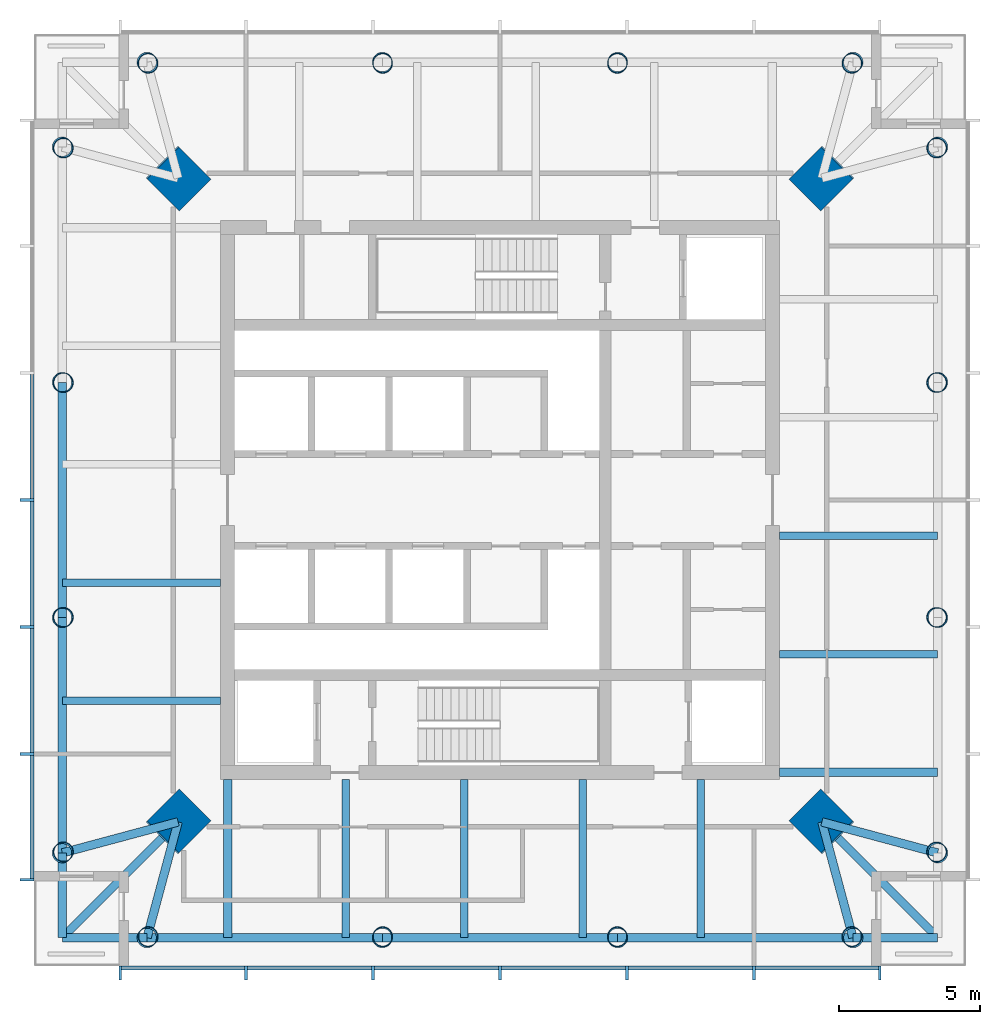
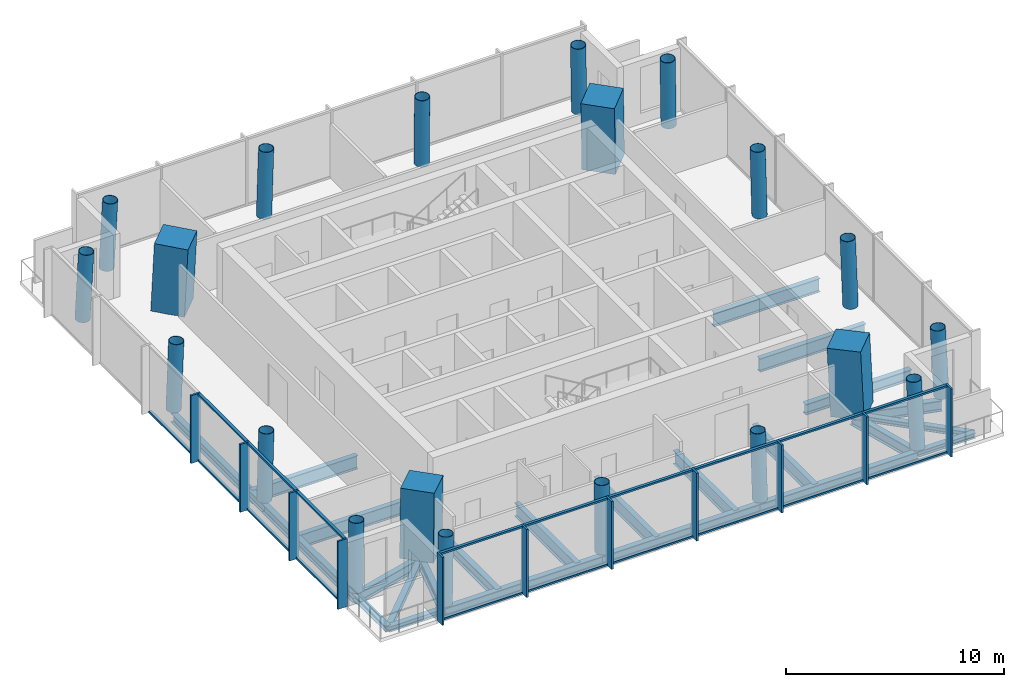
# One storey, part 1 of 7: 30 members, 24 beams, 20 columns, 2 elements without a shape of their own.
"""IFC4 building model written with IfcOpenShell, lengths in metres."""

import ifcopenshell
import ifcopenshell.guid

model = None  # the IFC model being written
_history = None  # IfcOwnerHistory: only IFC2X3 demands one
_inside = {}  # id of a spatial element -> (the spatial element, [elements in it])
_under = {}  # id of a project, library or spatial element -> (it, [spatial elements below it])
_declared = {}  # id of a project -> (the project, [libraries it declares])
_typed = {}  # id of a type object -> (the type object, [elements of that type])
_made_of = {}  # id of a material, layer set ... -> (it, [elements and type objects made of it])


def new_model(schema):
    """Start an empty IFC model of exactly this schema.

    Asked for "IFC4X3", IfcOpenShell would pick the latest addendum, in which some entities
    have other attributes; the version numbers below select the first issue.
    IFC2X3 requires an IfcOwnerHistory on every rooted entity: one is made here for all.
    """
    global model, _history
    if schema == "IFC4X3":
        model = ifcopenshell.file(schema_version=(4, 3, 0, 0))
    else:
        model = ifcopenshell.file(schema=schema)
    _inside.clear()
    _under.clear()
    _declared.clear()
    _typed.clear()
    _made_of.clear()
    _history = None
    if model.schema == "IFC2X3":
        org = make("IfcOrganization", Name="unknown")
        user = make(
            "IfcPersonAndOrganization",
            ThePerson=make("IfcPerson", FamilyName="unknown"),
            TheOrganization=org,
        )
        app = make(
            "IfcApplication",
            ApplicationDeveloper=org,
            Version="unknown",
            ApplicationFullName="unknown",
            ApplicationIdentifier="unknown",
        )
        _history = make(
            "IfcOwnerHistory",
            OwningUser=user,
            OwningApplication=app,
            ChangeAction="ADDED",
            CreationDate=0,
        )
    return model


def make(cls, **values):
    """One entity of the class cls with the attributes given. An attribute that is None is left unset."""
    return model.create_entity(
        cls, **{name: value for name, value in values.items() if value is not None}
    )


def rooted(cls, **values):
    """An entity with a GlobalId (a new one), such as an element, a storey or a relation."""
    return make(cls, GlobalId=ifcopenshell.guid.new(), OwnerHistory=_history, **values)


def si_unit(unit_type, name, prefix=None):
    """IfcSIUnit, for example si_unit("LENGTHUNIT", "METRE", prefix="MILLI")."""
    return make("IfcSIUnit", UnitType=unit_type, Prefix=prefix, Name=name)


def assignment(units):
    """IfcUnitAssignment: the units of a project."""
    return None if units is None else make("IfcUnitAssignment", Units=units)


def point(xyz):
    """IfcCartesianPoint."""
    return None if xyz is None else make("IfcCartesianPoint", Coordinates=xyz)


def direction(xyz):
    """IfcDirection."""
    return None if xyz is None else make("IfcDirection", DirectionRatios=xyz)


def frame(location, z_axis=None, x_axis=None):
    """IfcAxis2Placement3D, a coordinate frame: its origin and axes. An axis left out is left unset."""
    return make(
        "IfcAxis2Placement3D",
        Location=point(location),
        Axis=direction(z_axis),
        RefDirection=direction(x_axis),
    )


def frame_2d(location, x_axis=None):
    """IfcAxis2Placement2D, a coordinate frame in the plane: its origin and x axis."""
    return make(
        "IfcAxis2Placement2D", Location=point(location), RefDirection=direction(x_axis)
    )


def origin():
    """The frame at (0, 0, 0) with its axes left unset."""
    return frame((0.0, 0.0, 0.0))


def origin_2d():
    """The frame at (0, 0) in the plane with its x axis left unset."""
    return frame_2d((0.0, 0.0))


def place(relative_to, where):
    """IfcLocalPlacement: puts the frame where relative to a parent placement (None: the world)."""
    return make(
        "IfcLocalPlacement", PlacementRelTo=relative_to, RelativePlacement=where
    )


def context(
    kind, dimensions, precision=None, world=None, true_north=None, identifier=None
):
    """IfcGeometricRepresentationContext, for example the 3D "Model" context."""
    return make(
        "IfcGeometricRepresentationContext",
        ContextIdentifier=identifier,
        ContextType=kind,
        CoordinateSpaceDimension=dimensions,
        Precision=precision,
        WorldCoordinateSystem=world,
        TrueNorth=true_north,
    )


def subcontext(parent, identifier, kind, view, scale=None):
    """IfcGeometricRepresentationSubContext, for example "Body" below "Model"."""
    return make(
        "IfcGeometricRepresentationSubContext",
        ContextIdentifier=identifier,
        ContextType=kind,
        ParentContext=parent,
        TargetScale=scale,
        TargetView=view,
    )


def project(units=None, contexts=None):
    """IfcProject with its units and contexts."""
    return rooted(
        "IfcProject",
        Name="project",
        RepresentationContexts=contexts,
        UnitsInContext=assignment(units),
    )


def spatial(cls, under=None, at=None, **own):
    """A site, building, storey or space (cls), placed at a placement, below another one or the project."""
    s = rooted(cls, ObjectPlacement=at, **own)
    if under is not None:
        _under.setdefault(under.id(), (under, []))[1].append(s)
    return s


def profile(cls, at=None, kind="AREA", **sizes):
    """A parametric profile (cls). Its sizes go by their IFC names, for example OverallWidth=200.0."""
    return make(cls, ProfileType=kind, Position=at, **sizes)


def rectangle(**sizes):
    """IfcRectangleProfileDef."""
    return profile("IfcRectangleProfileDef", **sizes)


def hollow_circle(**sizes):
    """IfcCircleHollowProfileDef."""
    return profile("IfcCircleHollowProfileDef", **sizes)


def i_section(**sizes):
    """IfcIShapeProfileDef."""
    return profile("IfcIShapeProfileDef", **sizes)


def extrude(swept, where, along, depth):
    """IfcExtrudedAreaSolid: the profile swept, set in the frame where, extruded along a direction by depth."""
    return make(
        "IfcExtrudedAreaSolid",
        SweptArea=swept,
        Position=where,
        ExtrudedDirection=direction(along),
        Depth=depth,
    )


def shape(context_of_items, identifier, shape_type, items):
    """IfcShapeRepresentation: the items that make up one representation, for example the "Body"."""
    return make(
        "IfcShapeRepresentation",
        ContextOfItems=context_of_items,
        RepresentationIdentifier=identifier,
        RepresentationType=shape_type,
        Items=items,
    )


def material(Name=None, Category=None):
    """IfcMaterial."""
    return make("IfcMaterial", Name=Name, Category=Category)


def material_profile(
    of_material, cross_section, Name=None, Category=None, Priority=None
):
    """IfcMaterialProfile: a cross section and its material."""
    return make(
        "IfcMaterialProfile",
        Name=Name,
        Material=of_material,
        Profile=cross_section,
        Priority=Priority,
        Category=Category,
    )


def profile_set(profiles, Name=None, composite=None):
    """IfcMaterialProfileSet."""
    return make(
        "IfcMaterialProfileSet",
        Name=Name,
        MaterialProfiles=profiles,
        CompositeProfile=composite,
    )


def made_of(thing, what):
    """Note that an element or type object is made of a material, layer set ...; save() writes the relation."""
    if what is not None:
        _made_of.setdefault(what.id(), (what, []))[1].append(thing)
    return thing


def type_object(cls, material=None, **own):
    """A type object (cls), such as IfcWallType, which elements share."""
    return made_of(rooted(cls, **own), material)


def element(
    cls,
    number,
    at=None,
    inside=None,
    cuts=None,
    type_object=None,
    material=None,
    context=None,
    identifier="Body",
    shape_type=None,
    held_by="IfcProductDefinitionShape",
    body=None,
    shapes=None,
    **own,
):
    """One element of the class cls, such as IfcWall. Its Tag is "e" and its number.

    at: its placement. inside: the storey or other place that contains it. cuts: it is an
    opening in that element (IfcRelVoidsElement). A single representation is given by context,
    identifier, shape_type and body (its items); several are given by shapes. held_by: the class
    of the entity that holds the representations. save() writes the other relations.
    """
    e = rooted(cls, Tag="e%d" % number, ObjectPlacement=at, **own)
    if body is not None:
        shapes = [shape(context, identifier, shape_type, body)]
    if shapes is not None:
        e.Representation = make(held_by, Representations=shapes)
    if inside is not None:
        _inside.setdefault(inside.id(), (inside, []))[1].append(e)
    if cuts is not None:
        rooted(
            "IfcRelVoidsElement", RelatingBuildingElement=cuts, RelatedOpeningElement=e
        )
    if type_object is not None:
        _typed.setdefault(type_object.id(), (type_object, []))[1].append(e)
    return made_of(e, material)


def aggregate(whole, parts):
    """IfcRelAggregates: a whole, such as a stair, and the parts it consists of."""
    return rooted("IfcRelAggregates", RelatingObject=whole, RelatedObjects=parts)


def save(model, path):
    """Write the relations noted so far, then the file.

    IfcRelAggregates (storeys below a building ...), IfcRelContainedInSpatialStructure (elements
    in a storey), IfcRelDefinesByType, IfcRelAssociatesMaterial and IfcRelDeclares: one each for
    every whole, place, type object, material and project.
    """
    for whole, parts in _under.values():
        aggregate(whole, parts)
    for where, things in _inside.values():
        rooted(
            "IfcRelContainedInSpatialStructure",
            RelatedElements=things,
            RelatingStructure=where,
        )
    for kind, things in _typed.values():
        rooted("IfcRelDefinesByType", RelatedObjects=things, RelatingType=kind)
    for what, things in _made_of.values():
        rooted("IfcRelAssociatesMaterial", RelatedObjects=things, RelatingMaterial=what)
    for by, libraries in _declared.values():
        rooted("IfcRelDeclares", RelatingContext=by, RelatedDefinitions=libraries)
    model.write(path)


model = new_model("IFC4")

# Units and contexts
model_context = context("Model", 3, precision=1e-05, world=origin(), true_north=direction((0.0, 1.0)))
body_context = subcontext(model_context, "Body", "Model", "MODEL_VIEW")
ifc_project = project(units=[si_unit("LENGTHUNIT", "METRE"), si_unit("AREAUNIT", "SQUARE_METRE"), si_unit("VOLUMEUNIT", "CUBIC_METRE"), si_unit("PLANEANGLEUNIT", "RADIAN"), si_unit("MASSUNIT", "GRAM", prefix="KILO")], contexts=[model_context])

# Site, building, storey
site_placement = place(None, origin())
site = spatial("IfcSite", under=ifc_project, at=site_placement, CompositionType="ELEMENT")
building_placement = place(site_placement, origin())
building = spatial("IfcBuilding", under=site, at=building_placement, Name="Ostroluk Exchange", CompositionType="ELEMENT")
storey_placement = place(building_placement, frame((0.0, 0.0, 287.0)))
storey = spatial("IfcBuildingStorey", under=building, at=storey_placement, Name="L74", CompositionType="ELEMENT", Elevation=287.0)

# Columns
ifc_material_1 = material(Name="Concrete C50/60", Category="concrete")
ifc_material_profile_1 = material_profile(ifc_material_1, rectangle(XDim=1.60009765625, YDim=1.60009765625, at=origin_2d()), Name="RC 1600x1600")
ifc_profile_set_1 = profile_set([ifc_material_profile_1], Name="Concrete C50/60")
column_type_1 = type_object("IfcColumnType", Name="Mega column RC 1600x1600", PredefinedType="COLUMN", material=ifc_profile_set_1)
for number, where, z_axis, x_axis, name in (
    (1, (56.39990234375, 57.39990234375, 0.0), (-0.031898107953, -0.031898107953, 0.998981992539), (0.707106781187, -0.707106781187, 0.0), "T1 mega column NE"),
    (2, (33.60009765625, 57.39990234375, 0.0), (0.031898107953, -0.031898107953, 0.998981992539), (0.707106781187, 0.707106781187, 0.0), "T1 mega column NW"),
    (3, (33.60009765625, 34.60009765625, 0.0), (0.031898107953, 0.031898107953, 0.998981992539), (-0.707106781187, 0.707106781187, 0.0), "T1 mega column SW"),
    (4, (56.39990234375, 34.60009765625, 0.0), (-0.031898107953, 0.031898107953, 0.998981992539), (-0.707106781187, -0.707106781187, 0.0), "T1 mega column SE"),
):
    element("IfcColumn", number, at=place(storey_placement, frame(where, z_axis=z_axis, x_axis=x_axis)), inside=storey, type_object=column_type_1, Name=name, PredefinedType="COLUMN", context=body_context, shape_type="SweptSolid", body=[
        extrude(rectangle(XDim=1.60009765625, YDim=1.60009765625, at=origin_2d()), origin(), (0.0, 0.0, 1.0), 3.803955078125),
    ])
ifc_material_2 = material(Name="Steel S460", Category="steel")
ifc_material_profile_2 = material_profile(ifc_material_2, hollow_circle(Radius=0.35546875, WallThickness=0.02490234375, at=origin_2d()), Name="CHS 711x25")
ifc_profile_set_2 = profile_set([ifc_material_profile_2], Name="Steel S460")
column_type_2 = type_object("IfcColumnType", Name="Perimeter column CHS 711x25", PredefinedType="COLUMN", material=ifc_profile_set_2)
for number, where, z_axis, x_axis, name in (
    (5, (60.5, 33.5, 0.0), (-0.031898107953, 0.031898107953, 0.998981992539), (-0.707106781187, -0.707106781187, 0.0), "T1 east face column E0"),
    (6, (60.5, 58.5, 0.0), (-0.031898107953, -0.031898107953, 0.998981992539), (0.707106781187, -0.707106781187, 0.0), "T1 east face column E1"),
):
    element("IfcColumn", number, at=place(storey_placement, frame(where, z_axis=z_axis, x_axis=x_axis)), inside=storey, type_object=column_type_2, Name=name, PredefinedType="COLUMN", context=body_context, shape_type="SweptSolid", body=[
        extrude(hollow_circle(Radius=0.35546875, WallThickness=0.02490234375, at=origin_2d()), origin(), (0.0, 0.0, 1.0), 3.803955078125),
    ])
for number, where, z_axis, x_axis, name in (
    (7, (60.5, 41.833251953125, 0.0), (-0.031912535354, 0.010658915229, 0.999433828532), (-0.316800238982, -0.948492281772, 0.0), "T1 east face column I1"),
    (8, (60.5, 50.166748046875, 0.0), (-0.031912535354, -0.010658915229, 0.999433828532), (0.316800238982, -0.948492281772, 0.0), "T1 east face column I2"),
):
    element("IfcColumn", number, at=place(storey_placement, frame(where, z_axis=z_axis, x_axis=x_axis)), inside=storey, type_object=column_type_2, Name=name, PredefinedType="COLUMN", context=body_context, shape_type="SweptSolid", body=[
        extrude(hollow_circle(Radius=0.35546875, WallThickness=0.02490234375, at=origin_2d()), origin(), (0.0, 0.0, 1.0), 3.80224609375),
    ])
for number, where, z_axis, x_axis, name in (
    (9, (57.5, 61.5, 0.0), (-0.031898107953, -0.031898107953, 0.998981992539), (0.707106781187, -0.707106781187, 0.0), "T1 north face column E0"),
    (10, (32.5, 61.5, 0.0), (0.031898107953, -0.031898107953, 0.998981992539), (0.707106781187, 0.707106781187, 0.0), "T1 north face column E1"),
):
    element("IfcColumn", number, at=place(storey_placement, frame(where, z_axis=z_axis, x_axis=x_axis)), inside=storey, type_object=column_type_2, Name=name, PredefinedType="COLUMN", context=body_context, shape_type="SweptSolid", body=[
        extrude(hollow_circle(Radius=0.35546875, WallThickness=0.02490234375, at=origin_2d()), origin(), (0.0, 0.0, 1.0), 3.803955078125),
    ])
for number, where, z_axis, x_axis, name in (
    (11, (49.166748046875, 61.5, 0.0), (-0.010658915229, -0.031912535354, 0.999433828532), (0.948492281772, -0.316800238982, 0.0), "T1 north face column I1"),
    (12, (40.833251953125, 61.5, 0.0), (0.010658915229, -0.031912535354, 0.999433828532), (0.948492281772, 0.316800238982, 0.0), "T1 north face column I2"),
):
    element("IfcColumn", number, at=place(storey_placement, frame(where, z_axis=z_axis, x_axis=x_axis)), inside=storey, type_object=column_type_2, Name=name, PredefinedType="COLUMN", context=body_context, shape_type="SweptSolid", body=[
        extrude(hollow_circle(Radius=0.35546875, WallThickness=0.02490234375, at=origin_2d()), origin(), (0.0, 0.0, 1.0), 3.80224609375),
    ])
for number, where, z_axis, x_axis, name in (
    (13, (29.5, 58.5, 0.0), (0.031898107953, -0.031898107953, 0.998981992539), (0.707106781187, 0.707106781187, 0.0), "T1 west face column E0"),
    (14, (29.5, 33.5, 0.0), (0.031898107953, 0.031898107953, 0.998981992539), (-0.707106781187, 0.707106781187, 0.0), "T1 west face column E1"),
):
    element("IfcColumn", number, at=place(storey_placement, frame(where, z_axis=z_axis, x_axis=x_axis)), inside=storey, type_object=column_type_2, Name=name, PredefinedType="COLUMN", context=body_context, shape_type="SweptSolid", body=[
        extrude(hollow_circle(Radius=0.35546875, WallThickness=0.02490234375, at=origin_2d()), origin(), (0.0, 0.0, 1.0), 3.803955078125),
    ])
for number, where, z_axis, x_axis, name in (
    (15, (29.5, 50.166748046875, 0.0), (0.031912535354, -0.010658915229, 0.999433828532), (0.316800238982, 0.948492281772, 0.0), "T1 west face column I1"),
    (16, (29.5, 41.833251953125, 0.0), (0.031912535354, 0.010658915229, 0.999433828532), (-0.316800238982, 0.948492281772, 0.0), "T1 west face column I2"),
):
    element("IfcColumn", number, at=place(storey_placement, frame(where, z_axis=z_axis, x_axis=x_axis)), inside=storey, type_object=column_type_2, Name=name, PredefinedType="COLUMN", context=body_context, shape_type="SweptSolid", body=[
        extrude(hollow_circle(Radius=0.35546875, WallThickness=0.02490234375, at=origin_2d()), origin(), (0.0, 0.0, 1.0), 3.80224609375),
    ])
for number, where, z_axis, x_axis, name in (
    (17, (32.5, 30.5, 0.0), (0.031898107953, 0.031898107953, 0.998981992539), (-0.707106781187, 0.707106781187, 0.0), "T1 south face column E0"),
    (18, (57.5, 30.5, 0.0), (-0.031898107953, 0.031898107953, 0.998981992539), (-0.707106781187, -0.707106781187, 0.0), "T1 south face column E1"),
):
    element("IfcColumn", number, at=place(storey_placement, frame(where, z_axis=z_axis, x_axis=x_axis)), inside=storey, type_object=column_type_2, Name=name, PredefinedType="COLUMN", context=body_context, shape_type="SweptSolid", body=[
        extrude(hollow_circle(Radius=0.35546875, WallThickness=0.02490234375, at=origin_2d()), origin(), (0.0, 0.0, 1.0), 3.803955078125),
    ])
for number, where, z_axis, x_axis, name in (
    (19, (40.833251953125, 30.5, 0.0), (0.010658915229, 0.031912535354, 0.999433828532), (-0.948492281772, 0.316800238982, 0.0), "T1 south face column I1"),
    (20, (49.166748046875, 30.5, 0.0), (-0.010658915229, 0.031912535354, 0.999433828532), (-0.948492281772, -0.316800238982, 0.0), "T1 south face column I2"),
):
    element("IfcColumn", number, at=place(storey_placement, frame(where, z_axis=z_axis, x_axis=x_axis)), inside=storey, type_object=column_type_2, Name=name, PredefinedType="COLUMN", context=body_context, shape_type="SweptSolid", body=[
        extrude(hollow_circle(Radius=0.35546875, WallThickness=0.02490234375, at=origin_2d()), origin(), (0.0, 0.0, 1.0), 3.80224609375),
    ])

# Beams
ifc_material_3 = material(Name="Steel S355", Category="steel")
ifc_material_profile_3 = material_profile(ifc_material_3, i_section(OverallWidth=0.300048828125, OverallDepth=0.300048828125, WebThickness=0.010986328125, FlangeThickness=0.01904296875, FilletRadius=0.027099609375, at=origin_2d()), Name="HEB 300")
ifc_profile_set_3 = profile_set([ifc_material_profile_3], Name="Steel S355")
beam_type_1 = type_object("IfcBeamType", Name="Balcony beam HEB 300", PredefinedType="BEAM", material=ifc_profile_set_3)
for number, where, z_axis, x_axis, name in (
    (21, (29.5, 33.5, -0.35009765625), (0.0, -1.0, 0.0), (1.0, 0.0, 0.0), "T1 west balcony beam a"),
    (22, (32.5, 30.5, -0.35009765625), (-1.0, 0.0, 0.0), (0.0, -1.0, 0.0), "T1 west balcony beam b"),
):
    element("IfcBeam", number, at=place(storey_placement, frame(where, z_axis=z_axis, x_axis=x_axis)), inside=storey, type_object=beam_type_1, Name=name, PredefinedType="BEAM", context=body_context, shape_type="SweptSolid", body=[
        extrude(i_section(OverallWidth=0.300048828125, OverallDepth=0.300048828125, WebThickness=0.010986328125, FlangeThickness=0.01904296875, FilletRadius=0.027099609375, at=origin_2d()), origin(), (0.0, 0.0, 1.0), 3.0),
    ])
beam_1_placement = place(storey_placement, frame((33.60009765625, 34.60009765625, -0.35009765625), z_axis=(-0.707106781187, -0.707106781187, 0.0), x_axis=(0.707106781187, -0.707106781187, 0.0)))
element("IfcBeam", 23, at=beam_1_placement, inside=storey, type_object=beam_type_1, Name="T1 west balcony beam c", PredefinedType="BEAM", context=body_context, shape_type="SweptSolid", body=[
    extrude(i_section(OverallWidth=0.300048828125, OverallDepth=0.300048828125, WebThickness=0.010986328125, FlangeThickness=0.01904296875, FilletRadius=0.027099609375, at=origin_2d()), origin(), (0.0, 0.0, 1.0), 5.79833984375),
])
beam_2_placement = place(storey_placement, frame((57.5, 30.5, -0.35009765625), z_axis=(1.0, 0.0, 0.0), x_axis=(0.0, 1.0, 0.0)))
element("IfcBeam", 24, at=beam_2_placement, inside=storey, type_object=beam_type_1, Name="T1 south balcony beam a", PredefinedType="BEAM", context=body_context, shape_type="SweptSolid", body=[
    extrude(i_section(OverallWidth=0.300048828125, OverallDepth=0.300048828125, WebThickness=0.010986328125, FlangeThickness=0.01904296875, FilletRadius=0.027099609375, at=origin_2d()), origin(), (0.0, 0.0, 1.0), 3.0),
])
beam_3_placement = place(storey_placement, frame((56.39990234375, 34.60009765625, -0.35009765625), z_axis=(0.707106781187, -0.707106781187, 0.0), x_axis=(0.707106781187, 0.707106781187, 0.0)))
element("IfcBeam", 25, at=beam_3_placement, inside=storey, type_object=beam_type_1, Name="T1 south balcony beam c", PredefinedType="BEAM", context=body_context, shape_type="SweptSolid", body=[
    extrude(i_section(OverallWidth=0.300048828125, OverallDepth=0.300048828125, WebThickness=0.010986328125, FlangeThickness=0.01904296875, FilletRadius=0.027099609375, at=origin_2d()), origin(), (0.0, 0.0, 1.0), 5.79833984375),
])
ifc_material_4 = material(Name="Steel S355", Category="steel")
ifc_material_profile_4 = material_profile(ifc_material_4, i_section(OverallWidth=0.300048828125, OverallDepth=0.60009765625, WebThickness=0.015380859375, FlangeThickness=0.030029296875, FilletRadius=0.027099609375, at=origin_2d()), Name="HEB 600")
ifc_profile_set_4 = profile_set([ifc_material_profile_4], Name="Steel S355")
beam_type_2 = type_object("IfcBeamType", Name="Corner edge beam HEB 600", PredefinedType="SPANDREL", material=ifc_profile_set_4)
for number, where, z_axis, x_axis, name in (
    (26, (33.60009765625, 34.60009765625, -0.5), (-0.965838624319, -0.259144268261, 0.0), (0.259144268261, -0.965838624319, 0.0), "T1 west corner edge beam a"),
    (27, (33.60009765625, 34.60009765625, -0.5), (-0.259144268261, -0.965838624319, 0.0), (0.965838624319, -0.259144268261, 0.0), "T1 west corner edge beam b"),
    (28, (56.39990234375, 34.60009765625, -0.5), (0.259144268261, -0.965838624319, 0.0), (0.965838624319, 0.259144268261, 0.0), "T1 south corner edge beam a"),
    (29, (56.39990234375, 34.60009765625, -0.5), (0.965838624319, -0.259144268261, 0.0), (0.259144268261, 0.965838624319, 0.0), "T1 south corner edge beam b"),
):
    element("IfcBeam", number, at=place(storey_placement, frame(where, z_axis=z_axis, x_axis=x_axis)), inside=storey, type_object=beam_type_2, Name=name, PredefinedType="SPANDREL", context=body_context, shape_type="SweptSolid", body=[
        extrude(i_section(OverallWidth=0.300048828125, OverallDepth=0.60009765625, WebThickness=0.015380859375, FlangeThickness=0.030029296875, FilletRadius=0.027099609375, at=origin_2d()), origin(), (0.0, 0.0, 1.0), 4.2451171875),
    ])
ifc_material_5 = material(Name="Steel S355", Category="steel")
ifc_material_profile_5 = material_profile(ifc_material_5, i_section(OverallWidth=0.264892578125, OverallDepth=0.7529296875, WebThickness=0.01318359375, FlangeThickness=0.01708984375, FilletRadius=0.01708984375, at=origin_2d()), Name="IPE 750x147")
ifc_profile_set_5 = profile_set([ifc_material_profile_5], Name="Steel S355")
beam_type_3 = type_object("IfcBeamType", Name="Floor beam IPE 750x147", PredefinedType="BEAM", material=ifc_profile_set_5)
for number, where, z_axis, x_axis, name in (
    (30, (54.89990234375, 40.541748046875, -0.576416015625), (1.0, 0.0, 0.0), (0.0, 1.0, 0.0), "T1 east floor beam 1"),
    (31, (54.89990234375, 44.7333984375, -0.576416015625), (1.0, 0.0, 0.0), (0.0, 1.0, 0.0), "T1 east floor beam 2"),
    (32, (35.10009765625, 43.074951171875, -0.576416015625), (-1.0, 0.0, 0.0), (0.0, -1.0, 0.0), "T1 west floor beam 3"),
    (33, (35.10009765625, 38.88330078125, -0.576416015625), (-1.0, 0.0, 0.0), (0.0, -1.0, 0.0), "T1 west floor beam 4"),
    (34, (39.541748046875, 36.10009765625, -0.576416015625), (0.0, -1.0, 0.0), (1.0, 0.0, 0.0), "T1 south floor beam 1"),
    (35, (43.7333984375, 36.10009765625, -0.576416015625), (0.0, -1.0, 0.0), (1.0, 0.0, 0.0), "T1 south floor beam 2"),
    (36, (47.925048828125, 36.10009765625, -0.576416015625), (0.0, -1.0, 0.0), (1.0, 0.0, 0.0), "T1 south floor beam 3"),
    (37, (52.11669921875, 36.10009765625, -0.576416015625), (0.0, -1.0, 0.0), (1.0, 0.0, 0.0), "T1 south floor beam 4"),
):
    element("IfcBeam", number, at=place(storey_placement, frame(where, z_axis=z_axis, x_axis=x_axis)), inside=storey, type_object=beam_type_3, Name=name, PredefinedType="BEAM", context=body_context, shape_type="SweptSolid", body=[
        extrude(i_section(OverallWidth=0.264892578125, OverallDepth=0.7529296875, WebThickness=0.01318359375, FlangeThickness=0.01708984375, FilletRadius=0.01708984375, at=origin_2d()), origin(), (0.0, 0.0, 1.0), 5.60009765625),
    ])
ifc_material_6 = material(Name="Steel S355", Category="steel")
ifc_material_profile_6 = material_profile(ifc_material_6, i_section(OverallWidth=0.300048828125, OverallDepth=0.60009765625, WebThickness=0.015380859375, FlangeThickness=0.030029296875, FilletRadius=0.027099609375, at=origin_2d()), Name="HEB 600")
ifc_profile_set_6 = profile_set([ifc_material_profile_6], Name="Steel S355")
beam_type_4 = type_object("IfcBeamType", Name="Girder HEB 600", PredefinedType="BEAM", material=ifc_profile_set_6)
for number, where, z_axis, x_axis, name in (
    (38, (35.35009765625, 36.10009765625, -0.5), (0.0, -1.0, 0.0), (1.0, 0.0, 0.0), "T1 west girder"),
    (39, (54.89990234375, 36.35009765625, -0.5), (1.0, 0.0, 0.0), (0.0, 1.0, 0.0), "T1 south girder"),
):
    element("IfcBeam", number, at=place(storey_placement, frame(where, z_axis=z_axis, x_axis=x_axis)), inside=storey, type_object=beam_type_4, Name=name, PredefinedType="BEAM", context=body_context, shape_type="SweptSolid", body=[
        extrude(i_section(OverallWidth=0.300048828125, OverallDepth=0.60009765625, WebThickness=0.015380859375, FlangeThickness=0.030029296875, FilletRadius=0.027099609375, at=origin_2d()), origin(), (0.0, 0.0, 1.0), 5.60009765625),
    ])
ifc_material_7 = material(Name="Steel S355", Category="steel")
ifc_material_profile_7 = material_profile(ifc_material_7, i_section(OverallWidth=0.300048828125, OverallDepth=0.5, WebThickness=0.014404296875, FlangeThickness=0.028076171875, FilletRadius=0.027099609375, at=origin_2d()), Name="HEB 500")
ifc_profile_set_7 = profile_set([ifc_material_profile_7], Name="Steel S355")
beam_type_5 = type_object("IfcBeamType", Name="Moment-connected edge beam HEB 500", PredefinedType="SPANDREL", material=ifc_profile_set_7)
beam_4_placement = place(storey_placement, frame((29.5, 50.166748046875, -0.449951171875), z_axis=(0.0, -1.0, 0.0), x_axis=(1.0, 0.0, 0.0)))
element("IfcBeam", 40, at=beam_4_placement, inside=storey, type_object=beam_type_5, Name="T1 west edge beam 2", PredefinedType="SPANDREL", context=body_context, shape_type="SweptSolid", body=[
    extrude(i_section(OverallWidth=0.300048828125, OverallDepth=0.5, WebThickness=0.014404296875, FlangeThickness=0.028076171875, FilletRadius=0.027099609375, at=origin_2d()), origin(), (0.0, 0.0, 1.0), 8.33349609375),
])
for number, where, z_axis, x_axis, name in (
    (41, (29.5, 41.833251953125, -0.449951171875), (0.0, -1.0, 0.0), (1.0, 0.0, 0.0), "T1 west edge beam 3"),
    (42, (32.5, 30.5, -0.449951171875), (1.0, 0.0, 0.0), (0.0, 1.0, 0.0), "T1 south edge beam 1"),
):
    element("IfcBeam", number, at=place(storey_placement, frame(where, z_axis=z_axis, x_axis=x_axis)), inside=storey, type_object=beam_type_5, Name=name, PredefinedType="SPANDREL", context=body_context, shape_type="SweptSolid", body=[
        extrude(i_section(OverallWidth=0.300048828125, OverallDepth=0.5, WebThickness=0.014404296875, FlangeThickness=0.028076171875, FilletRadius=0.027099609375, at=origin_2d()), origin(), (0.0, 0.0, 1.0), 8.333251953125),
    ])
beam_5_placement = place(storey_placement, frame((40.833251953125, 30.5, -0.449951171875), z_axis=(1.0, 0.0, 0.0), x_axis=(0.0, 1.0, 0.0)))
element("IfcBeam", 43, at=beam_5_placement, inside=storey, type_object=beam_type_5, Name="T1 south edge beam 2", PredefinedType="SPANDREL", context=body_context, shape_type="SweptSolid", body=[
    extrude(i_section(OverallWidth=0.300048828125, OverallDepth=0.5, WebThickness=0.014404296875, FlangeThickness=0.028076171875, FilletRadius=0.027099609375, at=origin_2d()), origin(), (0.0, 0.0, 1.0), 8.33349609375),
])
beam_6_placement = place(storey_placement, frame((49.166748046875, 30.5, -0.449951171875), z_axis=(1.0, 0.0, 0.0), x_axis=(0.0, 1.0, 0.0)))
element("IfcBeam", 44, at=beam_6_placement, inside=storey, type_object=beam_type_5, Name="T1 south edge beam 3", PredefinedType="SPANDREL", context=body_context, shape_type="SweptSolid", body=[
    extrude(i_section(OverallWidth=0.300048828125, OverallDepth=0.5, WebThickness=0.014404296875, FlangeThickness=0.028076171875, FilletRadius=0.027099609375, at=origin_2d()), origin(), (0.0, 0.0, 1.0), 8.333251953125),
])

# Curtain wall, members
ifc_material_8 = material(Name="Laminated clear glass", Category="glass")
curtain_wall_type = type_object("IfcCurtainWallType", Name="Sky garden and observation glazing", PredefinedType="USERDEFINED", material=ifc_material_8)
curtain_wall_1_placement = place(storey_placement, origin())
curtain_wall_1 = element("IfcCurtainWall", 45, at=curtain_wall_1_placement, inside=storey, type_object=curtain_wall_type, Name="Office tower south facade L74", ObjectType="STRUCTURAL GLAZING", PredefinedType="USERDEFINED")
ifc_material_9 = material(Name="Aluminium mullion", Category="aluminium")
ifc_material_profile_8 = material_profile(ifc_material_9, rectangle(XDim=0.14990234375, YDim=0.10009765625, at=origin_2d()), Name="Sill transom 100 x 150")
ifc_profile_set_8 = profile_set([ifc_material_profile_8], Name="Aluminium mullion")
member_type_1 = type_object("IfcMemberType", Name="Sill transom 100 x 150", PredefinedType="USERDEFINED", material=ifc_profile_set_8)
member_1_placement = place(storey_placement, frame((31.60009765625, 29.425048828125, 0.050048828125), z_axis=(1.0, 0.0, 0.0), x_axis=(0.0, 1.0, 0.0)))
member_1 = element("IfcMember", 46, at=member_1_placement, type_object=member_type_1, Name="CW-S1 transom 1.1", ObjectType="TRANSOM", PredefinedType="USERDEFINED", context=body_context, shape_type="SweptSolid", body=[
    extrude(rectangle(XDim=0.14990234375, YDim=0.10009765625, at=origin_2d()), origin(), (0.0, 0.0, 1.0), 4.349853515625),
])
member_2_placement = place(storey_placement, frame((31.60009765625, 29.425048828125, 3.75), z_axis=(1.0, 0.0, 0.0), x_axis=(0.0, 1.0, 0.0)))
member_2 = element("IfcMember", 47, at=member_2_placement, type_object=member_type_1, Name="CW-S1 transom 1.2", ObjectType="TRANSOM", PredefinedType="USERDEFINED", context=body_context, shape_type="SweptSolid", body=[
    extrude(rectangle(XDim=0.14990234375, YDim=0.10009765625, at=origin_2d()), origin(), (0.0, 0.0, 1.0), 4.349853515625),
])
member_3_placement = place(storey_placement, frame((36.050048828125, 29.425048828125, 0.050048828125), z_axis=(1.0, 0.0, 0.0), x_axis=(0.0, 1.0, 0.0)))
member_3 = element("IfcMember", 48, at=member_3_placement, type_object=member_type_1, Name="CW-S1 transom 2.1", ObjectType="TRANSOM", PredefinedType="USERDEFINED", context=body_context, shape_type="SweptSolid", body=[
    extrude(rectangle(XDim=0.14990234375, YDim=0.10009765625, at=origin_2d()), origin(), (0.0, 0.0, 1.0), 4.39990234375),
])
member_4_placement = place(storey_placement, frame((36.050048828125, 29.425048828125, 3.75), z_axis=(1.0, 0.0, 0.0), x_axis=(0.0, 1.0, 0.0)))
member_4 = element("IfcMember", 49, at=member_4_placement, type_object=member_type_1, Name="CW-S1 transom 2.2", ObjectType="TRANSOM", PredefinedType="USERDEFINED", context=body_context, shape_type="SweptSolid", body=[
    extrude(rectangle(XDim=0.14990234375, YDim=0.10009765625, at=origin_2d()), origin(), (0.0, 0.0, 1.0), 4.39990234375),
])
member_5_placement = place(storey_placement, frame((40.550048828125, 29.425048828125, 0.050048828125), z_axis=(1.0, 0.0, 0.0), x_axis=(0.0, 1.0, 0.0)))
member_5 = element("IfcMember", 50, at=member_5_placement, type_object=member_type_1, Name="CW-S1 transom 3.1", ObjectType="TRANSOM", PredefinedType="USERDEFINED", context=body_context, shape_type="SweptSolid", body=[
    extrude(rectangle(XDim=0.14990234375, YDim=0.10009765625, at=origin_2d()), origin(), (0.0, 0.0, 1.0), 4.39990234375),
])
member_6_placement = place(storey_placement, frame((40.550048828125, 29.425048828125, 3.75), z_axis=(1.0, 0.0, 0.0), x_axis=(0.0, 1.0, 0.0)))
member_6 = element("IfcMember", 51, at=member_6_placement, type_object=member_type_1, Name="CW-S1 transom 3.2", ObjectType="TRANSOM", PredefinedType="USERDEFINED", context=body_context, shape_type="SweptSolid", body=[
    extrude(rectangle(XDim=0.14990234375, YDim=0.10009765625, at=origin_2d()), origin(), (0.0, 0.0, 1.0), 4.39990234375),
])
member_7_placement = place(storey_placement, frame((45.050048828125, 29.425048828125, 0.050048828125), z_axis=(1.0, 0.0, 0.0), x_axis=(0.0, 1.0, 0.0)))
member_7 = element("IfcMember", 52, at=member_7_placement, type_object=member_type_1, Name="CW-S1 transom 4.1", ObjectType="TRANSOM", PredefinedType="USERDEFINED", context=body_context, shape_type="SweptSolid", body=[
    extrude(rectangle(XDim=0.14990234375, YDim=0.10009765625, at=origin_2d()), origin(), (0.0, 0.0, 1.0), 4.39990234375),
])
member_8_placement = place(storey_placement, frame((45.050048828125, 29.425048828125, 3.75), z_axis=(1.0, 0.0, 0.0), x_axis=(0.0, 1.0, 0.0)))
member_8 = element("IfcMember", 53, at=member_8_placement, type_object=member_type_1, Name="CW-S1 transom 4.2", ObjectType="TRANSOM", PredefinedType="USERDEFINED", context=body_context, shape_type="SweptSolid", body=[
    extrude(rectangle(XDim=0.14990234375, YDim=0.10009765625, at=origin_2d()), origin(), (0.0, 0.0, 1.0), 4.39990234375),
])
member_9_placement = place(storey_placement, frame((49.550048828125, 29.425048828125, 0.050048828125), z_axis=(1.0, 0.0, 0.0), x_axis=(0.0, 1.0, 0.0)))
member_9 = element("IfcMember", 54, at=member_9_placement, type_object=member_type_1, Name="CW-S1 transom 5.1", ObjectType="TRANSOM", PredefinedType="USERDEFINED", context=body_context, shape_type="SweptSolid", body=[
    extrude(rectangle(XDim=0.14990234375, YDim=0.10009765625, at=origin_2d()), origin(), (0.0, 0.0, 1.0), 4.39990234375),
])
member_10_placement = place(storey_placement, frame((49.550048828125, 29.425048828125, 3.75), z_axis=(1.0, 0.0, 0.0), x_axis=(0.0, 1.0, 0.0)))
member_10 = element("IfcMember", 55, at=member_10_placement, type_object=member_type_1, Name="CW-S1 transom 5.2", ObjectType="TRANSOM", PredefinedType="USERDEFINED", context=body_context, shape_type="SweptSolid", body=[
    extrude(rectangle(XDim=0.14990234375, YDim=0.10009765625, at=origin_2d()), origin(), (0.0, 0.0, 1.0), 4.39990234375),
])
member_11_placement = place(storey_placement, frame((54.050048828125, 29.425048828125, 0.050048828125), z_axis=(1.0, 0.0, 0.0), x_axis=(0.0, 1.0, 0.0)))
member_11 = element("IfcMember", 56, at=member_11_placement, type_object=member_type_1, Name="CW-S1 transom 6.1", ObjectType="TRANSOM", PredefinedType="USERDEFINED", context=body_context, shape_type="SweptSolid", body=[
    extrude(rectangle(XDim=0.14990234375, YDim=0.10009765625, at=origin_2d()), origin(), (0.0, 0.0, 1.0), 4.349853515625),
])
member_12_placement = place(storey_placement, frame((54.050048828125, 29.425048828125, 3.75), z_axis=(1.0, 0.0, 0.0), x_axis=(0.0, 1.0, 0.0)))
member_12 = element("IfcMember", 57, at=member_12_placement, type_object=member_type_1, Name="CW-S1 transom 6.2", ObjectType="TRANSOM", PredefinedType="USERDEFINED", context=body_context, shape_type="SweptSolid", body=[
    extrude(rectangle(XDim=0.14990234375, YDim=0.10009765625, at=origin_2d()), origin(), (0.0, 0.0, 1.0), 4.349853515625),
])

curtain_wall_2_placement = place(storey_placement, origin())
curtain_wall_2 = element("IfcCurtainWall", 58, at=curtain_wall_2_placement, inside=storey, type_object=curtain_wall_type, Name="Office tower west facade L74", ObjectType="STRUCTURAL GLAZING", PredefinedType="USERDEFINED")
member_13_placement = place(storey_placement, frame((28.425048828125, 50.449951171875, 0.050048828125), z_axis=(0.0, -1.0, 0.0), x_axis=(1.0, 0.0, 0.0)))
member_13 = element("IfcMember", 59, at=member_13_placement, type_object=member_type_1, Name="CW-S1 transom 3.1", ObjectType="TRANSOM", PredefinedType="USERDEFINED", context=body_context, shape_type="SweptSolid", body=[
    extrude(rectangle(XDim=0.14990234375, YDim=0.10009765625, at=origin_2d()), origin(), (0.0, 0.0, 1.0), 4.39990234375),
])
member_14_placement = place(storey_placement, frame((28.425048828125, 45.949951171875, 0.050048828125), z_axis=(0.0, -1.0, 0.0), x_axis=(1.0, 0.0, 0.0)))
member_14 = element("IfcMember", 60, at=member_14_placement, type_object=member_type_1, Name="CW-S1 transom 4.1", ObjectType="TRANSOM", PredefinedType="USERDEFINED", context=body_context, shape_type="SweptSolid", body=[
    extrude(rectangle(XDim=0.14990234375, YDim=0.10009765625, at=origin_2d()), origin(), (0.0, 0.0, 1.0), 4.39990234375),
])
member_15_placement = place(storey_placement, frame((28.425048828125, 45.949951171875, 3.75), z_axis=(0.0, -1.0, 0.0), x_axis=(1.0, 0.0, 0.0)))
member_15 = element("IfcMember", 61, at=member_15_placement, type_object=member_type_1, Name="CW-S1 transom 4.2", ObjectType="TRANSOM", PredefinedType="USERDEFINED", context=body_context, shape_type="SweptSolid", body=[
    extrude(rectangle(XDim=0.14990234375, YDim=0.10009765625, at=origin_2d()), origin(), (0.0, 0.0, 1.0), 4.39990234375),
])
member_16_placement = place(storey_placement, frame((28.425048828125, 41.449951171875, 0.050048828125), z_axis=(0.0, -1.0, 0.0), x_axis=(1.0, 0.0, 0.0)))
member_16 = element("IfcMember", 62, at=member_16_placement, type_object=member_type_1, Name="CW-S1 transom 5.1", ObjectType="TRANSOM", PredefinedType="USERDEFINED", context=body_context, shape_type="SweptSolid", body=[
    extrude(rectangle(XDim=0.14990234375, YDim=0.10009765625, at=origin_2d()), origin(), (0.0, 0.0, 1.0), 4.39990234375),
])
member_17_placement = place(storey_placement, frame((28.425048828125, 41.449951171875, 3.75), z_axis=(0.0, -1.0, 0.0), x_axis=(1.0, 0.0, 0.0)))
member_17 = element("IfcMember", 63, at=member_17_placement, type_object=member_type_1, Name="CW-S1 transom 5.2", ObjectType="TRANSOM", PredefinedType="USERDEFINED", context=body_context, shape_type="SweptSolid", body=[
    extrude(rectangle(XDim=0.14990234375, YDim=0.10009765625, at=origin_2d()), origin(), (0.0, 0.0, 1.0), 4.39990234375),
])
member_18_placement = place(storey_placement, frame((28.425048828125, 36.949951171875, 0.050048828125), z_axis=(0.0, -1.0, 0.0), x_axis=(1.0, 0.0, 0.0)))
member_18 = element("IfcMember", 64, at=member_18_placement, type_object=member_type_1, Name="CW-S1 transom 6.1", ObjectType="TRANSOM", PredefinedType="USERDEFINED", context=body_context, shape_type="SweptSolid", body=[
    extrude(rectangle(XDim=0.14990234375, YDim=0.10009765625, at=origin_2d()), origin(), (0.0, 0.0, 1.0), 4.349853515625),
])
member_19_placement = place(storey_placement, frame((28.425048828125, 36.949951171875, 3.75), z_axis=(0.0, -1.0, 0.0), x_axis=(1.0, 0.0, 0.0)))
member_19 = element("IfcMember", 65, at=member_19_placement, type_object=member_type_1, Name="CW-S1 transom 6.2", ObjectType="TRANSOM", PredefinedType="USERDEFINED", context=body_context, shape_type="SweptSolid", body=[
    extrude(rectangle(XDim=0.14990234375, YDim=0.10009765625, at=origin_2d()), origin(), (0.0, 0.0, 1.0), 4.349853515625),
])

# Member
ifc_material_10 = material(Name="Aluminium mullion with limestone facing", Category="masonry")
ifc_material_profile_9 = material_profile(ifc_material_10, rectangle(XDim=0.5, YDim=0.10009765625, at=origin_2d()), Name="Tracery mullion 100 x 500")
ifc_profile_set_9 = profile_set([ifc_material_profile_9], Name="Aluminium mullion with limestone facing")
member_type_2 = type_object("IfcMemberType", Name="Tracery mullion 100 x 500", PredefinedType="MULLION", material=ifc_profile_set_9)
member_20_placement = place(storey_placement, frame((31.550048828125, 29.25, 0.0), z_axis=(0.0, 0.0, 1.0), x_axis=(0.0, 1.0, 0.0)))
member_20 = element("IfcMember", 66, at=member_20_placement, type_object=member_type_2, Name="CW-S1 mullion 1", PredefinedType="MULLION", context=body_context, shape_type="SweptSolid", body=[
    extrude(rectangle(XDim=0.5, YDim=0.10009765625, at=origin_2d()), origin(), (0.0, 0.0, 1.0), 3.800048828125),
])

member_21_placement = place(storey_placement, frame((36.0, 29.25, 0.0), z_axis=(0.0, 0.0, 1.0), x_axis=(0.0, 1.0, 0.0)))
member_21 = element("IfcMember", 67, at=member_21_placement, type_object=member_type_2, Name="CW-S1 mullion 2", PredefinedType="MULLION", context=body_context, shape_type="SweptSolid", body=[
    extrude(rectangle(XDim=0.5, YDim=0.10009765625, at=origin_2d()), origin(), (0.0, 0.0, 1.0), 3.800048828125),
])

member_22_placement = place(storey_placement, frame((40.5, 29.25, 0.0), z_axis=(0.0, 0.0, 1.0), x_axis=(0.0, 1.0, 0.0)))
member_22 = element("IfcMember", 68, at=member_22_placement, type_object=member_type_2, Name="CW-S1 mullion 3", PredefinedType="MULLION", context=body_context, shape_type="SweptSolid", body=[
    extrude(rectangle(XDim=0.5, YDim=0.10009765625, at=origin_2d()), origin(), (0.0, 0.0, 1.0), 3.800048828125),
])

member_23_placement = place(storey_placement, frame((45.0, 29.25, 0.0), z_axis=(0.0, 0.0, 1.0), x_axis=(0.0, 1.0, 0.0)))
member_23 = element("IfcMember", 69, at=member_23_placement, type_object=member_type_2, Name="CW-S1 mullion 4", PredefinedType="MULLION", context=body_context, shape_type="SweptSolid", body=[
    extrude(rectangle(XDim=0.5, YDim=0.10009765625, at=origin_2d()), origin(), (0.0, 0.0, 1.0), 3.800048828125),
])

member_24_placement = place(storey_placement, frame((49.5, 29.25, 0.0), z_axis=(0.0, 0.0, 1.0), x_axis=(0.0, 1.0, 0.0)))
member_24 = element("IfcMember", 70, at=member_24_placement, type_object=member_type_2, Name="CW-S1 mullion 5", PredefinedType="MULLION", context=body_context, shape_type="SweptSolid", body=[
    extrude(rectangle(XDim=0.5, YDim=0.10009765625, at=origin_2d()), origin(), (0.0, 0.0, 1.0), 3.800048828125),
])

member_25_placement = place(storey_placement, frame((54.0, 29.25, 0.0), z_axis=(0.0, 0.0, 1.0), x_axis=(0.0, 1.0, 0.0)))
member_25 = element("IfcMember", 71, at=member_25_placement, type_object=member_type_2, Name="CW-S1 mullion 6", PredefinedType="MULLION", context=body_context, shape_type="SweptSolid", body=[
    extrude(rectangle(XDim=0.5, YDim=0.10009765625, at=origin_2d()), origin(), (0.0, 0.0, 1.0), 3.800048828125),
])

member_26_placement = place(storey_placement, frame((58.449951171875, 29.25, 0.0), z_axis=(0.0, 0.0, 1.0), x_axis=(0.0, 1.0, 0.0)))
member_26 = element("IfcMember", 72, at=member_26_placement, type_object=member_type_2, Name="CW-S1 mullion 7", PredefinedType="MULLION", context=body_context, shape_type="SweptSolid", body=[
    extrude(rectangle(XDim=0.5, YDim=0.10009765625, at=origin_2d()), origin(), (0.0, 0.0, 1.0), 3.800048828125),
])

aggregate(curtain_wall_1, [member_20, member_21, member_22, member_23, member_24, member_25, member_26, member_1, member_2, member_3, member_4, member_5, member_6, member_7, member_8, member_9, member_10, member_11, member_12])

member_27_placement = place(storey_placement, frame((28.25, 46.0, 0.0), z_axis=(0.0, 0.0, 1.0), x_axis=(1.0, 0.0, 0.0)))
member_27 = element("IfcMember", 73, at=member_27_placement, type_object=member_type_2, Name="CW-S1 mullion 4", PredefinedType="MULLION", context=body_context, shape_type="SweptSolid", body=[
    extrude(rectangle(XDim=0.5, YDim=0.10009765625, at=origin_2d()), origin(), (0.0, 0.0, 1.0), 3.800048828125),
])

member_28_placement = place(storey_placement, frame((28.25, 41.5, 0.0), z_axis=(0.0, 0.0, 1.0), x_axis=(1.0, 0.0, 0.0)))
member_28 = element("IfcMember", 74, at=member_28_placement, type_object=member_type_2, Name="CW-S1 mullion 5", PredefinedType="MULLION", context=body_context, shape_type="SweptSolid", body=[
    extrude(rectangle(XDim=0.5, YDim=0.10009765625, at=origin_2d()), origin(), (0.0, 0.0, 1.0), 3.800048828125),
])

member_29_placement = place(storey_placement, frame((28.25, 37.0, 0.0), z_axis=(0.0, 0.0, 1.0), x_axis=(1.0, 0.0, 0.0)))
member_29 = element("IfcMember", 75, at=member_29_placement, type_object=member_type_2, Name="CW-S1 mullion 6", PredefinedType="MULLION", context=body_context, shape_type="SweptSolid", body=[
    extrude(rectangle(XDim=0.5, YDim=0.10009765625, at=origin_2d()), origin(), (0.0, 0.0, 1.0), 3.800048828125),
])

member_30_placement = place(storey_placement, frame((28.25, 32.550048828125, 0.0), z_axis=(0.0, 0.0, 1.0), x_axis=(1.0, 0.0, 0.0)))
member_30 = element("IfcMember", 76, at=member_30_placement, type_object=member_type_2, Name="CW-S1 mullion 7", PredefinedType="MULLION", context=body_context, shape_type="SweptSolid", body=[
    extrude(rectangle(XDim=0.5, YDim=0.10009765625, at=origin_2d()), origin(), (0.0, 0.0, 1.0), 3.800048828125),
])

aggregate(curtain_wall_2, [member_27, member_28, member_29, member_30, member_13, member_14, member_15, member_16, member_17, member_18, member_19])

save(model, "model.ifc")
